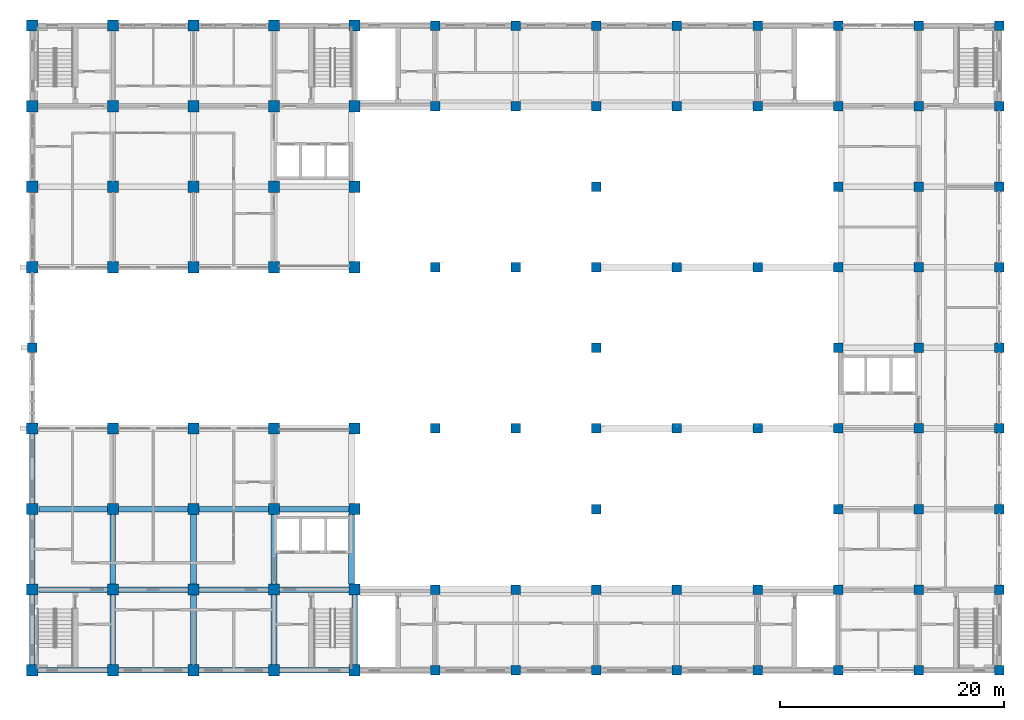
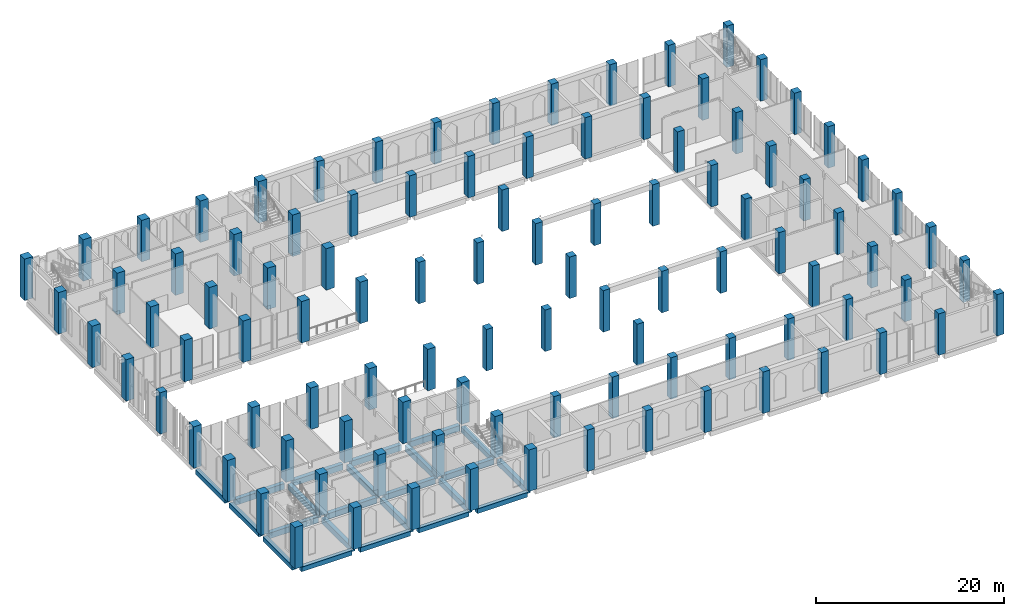
# One storey, part 1 of 48: 101 columns, 23 beams.
"""IFC4 building model written with IfcOpenShell, lengths in metres."""

from ifc_helpers import new_model, si_unit, direction, frame, origin, origin_2d, place, context, subcontext, project, spatial, rectangle, extrude, material, material_profile, profile_set, type_object, element, save


model = new_model("IFC4")

# Units and contexts
model_context = context("Model", 3, precision=1e-05, world=origin(), true_north=direction((0.0, 1.0)))
body_context = subcontext(model_context, "Body", "Model", "MODEL_VIEW")
ifc_project = project(units=[si_unit("LENGTHUNIT", "METRE"), si_unit("AREAUNIT", "SQUARE_METRE"), si_unit("VOLUMEUNIT", "CUBIC_METRE"), si_unit("PLANEANGLEUNIT", "RADIAN"), si_unit("MASSUNIT", "GRAM", prefix="KILO")], contexts=[model_context])

# Site, building, storey
site_placement = place(None, origin())
site = spatial("IfcSite", under=ifc_project, at=site_placement, CompositionType="ELEMENT")
building_placement = place(site_placement, origin())
building = spatial("IfcBuilding", under=site, at=building_placement, Name="Silangan Lancet Faculty of Sciences", CompositionType="ELEMENT")
storey_placement = place(building_placement, frame((0.0, 0.0, 6.0)))
storey = spatial("IfcBuildingStorey", under=building, at=storey_placement, Name="L01", CompositionType="ELEMENT", Elevation=6.0)

# Columns
ifc_material_1 = material(Name="Concrete C50/60", Category="concrete")
ifc_material_profile_1 = material_profile(ifc_material_1, rectangle(XDim=1.0, YDim=1.0, at=origin_2d()), Name="RC 1000x1000")
ifc_profile_set_1 = profile_set([ifc_material_profile_1], Name="Concrete C50/60")
column_type_1 = type_object("IfcColumnType", Name="COLUMN RC 1000x1000", PredefinedType="COLUMN", material=ifc_profile_set_1)
for number, where, z_axis, x_axis, name in (
    (1, (0.0, 0.0, 0.0), (0.0, 0.0, 1.0), (1.0, 0.0, 0.0), "COL-L01-1A"),
    (2, (0.0, 7.199951171875, 0.0), (0.0, 0.0, 1.0), (1.0, 0.0, 0.0), "COL-L01-1B"),
    (3, (0.0, 14.39990234375, 0.0), (0.0, 0.0, 1.0), (1.0, 0.0, 0.0), "COL-L01-1C"),
    (4, (0.0, 21.60009765625, 0.0), (0.0, 0.0, 1.0), (1.0, 0.0, 0.0), "COL-L01-1D"),
    (5, (0.0, 36.0, 0.0), (0.0, 0.0, 1.0), (1.0, 0.0, 0.0), "COL-L01-1F"),
    (6, (0.0, 43.199951171875, 0.0), (0.0, 0.0, 1.0), (1.0, 0.0, 0.0), "COL-L01-1G"),
    (7, (0.0, 50.39990234375, 0.0), (0.0, 0.0, 1.0), (1.0, 0.0, 0.0), "COL-L01-1H"),
    (8, (0.0, 57.60009765625, 0.0), (0.0, 0.0, 1.0), (1.0, 0.0, 0.0), "COL-L01-1I"),
    (9, (7.199951171875, 0.0, 0.0), (0.0, 0.0, 1.0), (1.0, 0.0, 0.0), "COL-L01-2A"),
    (10, (7.199951171875, 7.199951171875, 0.0), (0.0, 0.0, 1.0), (1.0, 0.0, 0.0), "COL-L01-2B"),
    (11, (7.199951171875, 14.39990234375, 0.0), (0.0, 0.0, 1.0), (1.0, 0.0, 0.0), "COL-L01-2C"),
    (12, (7.199951171875, 21.60009765625, 0.0), (0.0, 0.0, 1.0), (1.0, 0.0, 0.0), "COL-L01-2D"),
    (13, (7.199951171875, 36.0, 0.0), (0.0, 0.0, 1.0), (1.0, 0.0, 0.0), "COL-L01-2F"),
    (14, (7.199951171875, 43.199951171875, 0.0), (0.0, 0.0, 1.0), (1.0, 0.0, 0.0), "COL-L01-2G"),
    (15, (7.199951171875, 50.39990234375, 0.0), (0.0, 0.0, 1.0), (1.0, 0.0, 0.0), "COL-L01-2H"),
    (16, (7.199951171875, 57.60009765625, 0.0), (0.0, 0.0, 1.0), (1.0, 0.0, 0.0), "COL-L01-2I"),
    (17, (14.39990234375, 0.0, 0.0), (0.0, 0.0, 1.0), (1.0, 0.0, 0.0), "COL-L01-3A"),
    (18, (14.39990234375, 7.199951171875, 0.0), (0.0, 0.0, 1.0), (1.0, 0.0, 0.0), "COL-L01-3B"),
    (19, (14.39990234375, 14.39990234375, 0.0), (0.0, 0.0, 1.0), (1.0, 0.0, 0.0), "COL-L01-3C"),
    (20, (14.39990234375, 21.60009765625, 0.0), (0.0, 0.0, 1.0), (1.0, 0.0, 0.0), "COL-L01-3D"),
    (21, (14.39990234375, 36.0, 0.0), (0.0, 0.0, 1.0), (1.0, 0.0, 0.0), "COL-L01-3F"),
    (22, (14.39990234375, 43.199951171875, 0.0), (0.0, 0.0, 1.0), (1.0, 0.0, 0.0), "COL-L01-3G"),
    (23, (14.39990234375, 50.39990234375, 0.0), (0.0, 0.0, 1.0), (1.0, 0.0, 0.0), "COL-L01-3H"),
    (24, (14.39990234375, 57.60009765625, 0.0), (0.0, 0.0, 1.0), (1.0, 0.0, 0.0), "COL-L01-3I"),
    (25, (21.60009765625, 0.0, 0.0), (0.0, 0.0, 1.0), (1.0, 0.0, 0.0), "COL-L01-4A"),
    (26, (21.60009765625, 7.199951171875, 0.0), (0.0, 0.0, 1.0), (1.0, 0.0, 0.0), "COL-L01-4B"),
    (27, (21.60009765625, 14.39990234375, 0.0), (0.0, 0.0, 1.0), (1.0, 0.0, 0.0), "COL-L01-4C"),
    (28, (21.60009765625, 21.60009765625, 0.0), (0.0, 0.0, 1.0), (1.0, 0.0, 0.0), "COL-L01-4D"),
    (29, (21.60009765625, 36.0, 0.0), (0.0, 0.0, 1.0), (1.0, 0.0, 0.0), "COL-L01-4F"),
    (30, (21.60009765625, 43.199951171875, 0.0), (0.0, 0.0, 1.0), (1.0, 0.0, 0.0), "COL-L01-4G"),
    (31, (21.60009765625, 50.39990234375, 0.0), (0.0, 0.0, 1.0), (1.0, 0.0, 0.0), "COL-L01-4H"),
    (32, (21.60009765625, 57.60009765625, 0.0), (0.0, 0.0, 1.0), (1.0, 0.0, 0.0), "COL-L01-4I"),
    (33, (28.800048828125, 0.0, 0.0), (0.0, 0.0, 1.0), (1.0, 0.0, 0.0), "COL-L01-5A"),
    (34, (28.800048828125, 7.199951171875, 0.0), (0.0, 0.0, 1.0), (1.0, 0.0, 0.0), "COL-L01-5B"),
    (35, (28.800048828125, 14.39990234375, 0.0), (0.0, 0.0, 1.0), (1.0, 0.0, 0.0), "COL-L01-5C"),
    (36, (28.800048828125, 21.60009765625, 0.0), (0.0, 0.0, 1.0), (1.0, 0.0, 0.0), "COL-L01-5D"),
    (37, (28.800048828125, 36.0, 0.0), (0.0, 0.0, 1.0), (1.0, 0.0, 0.0), "COL-L01-5F"),
    (38, (28.800048828125, 43.199951171875, 0.0), (0.0, 0.0, 1.0), (1.0, 0.0, 0.0), "COL-L01-5G"),
    (39, (28.800048828125, 50.39990234375, 0.0), (0.0, 0.0, 1.0), (1.0, 0.0, 0.0), "COL-L01-5H"),
    (40, (28.800048828125, 57.60009765625, 0.0), (0.0, 0.0, 1.0), (1.0, 0.0, 0.0), "COL-L01-5I"),
):
    element("IfcColumn", number, at=place(storey_placement, frame(where, z_axis=z_axis, x_axis=x_axis)), inside=storey, type_object=column_type_1, Name=name, PredefinedType="COLUMN", context=body_context, shape_type="SweptSolid", body=[
        extrude(rectangle(XDim=1.0, YDim=1.0, at=origin_2d()), origin(), (0.0, 0.0, 1.0), 5.39990234375),
    ])
ifc_material_2 = material(Name="Concrete C40/50", Category="concrete")
ifc_material_profile_2 = material_profile(ifc_material_2, rectangle(XDim=0.85009765625, YDim=0.85009765625, at=origin_2d()), Name="RC 850x850")
ifc_profile_set_2 = profile_set([ifc_material_profile_2], Name="Concrete C40/50")
column_type_2 = type_object("IfcColumnType", Name="COLUMN RC 850x850", PredefinedType="COLUMN", material=ifc_profile_set_2)
for number, where, z_axis, x_axis, name in (
    (41, (0.0, 28.800048828125, 0.0), (0.0, 0.0, 1.0), (1.0, 0.0, 0.0), "COL-L01-1E"),
    (42, (36.0, 0.0, 0.0), (0.0, 0.0, 1.0), (1.0, 0.0, 0.0), "COL-L01-6A"),
    (43, (36.0, 7.199951171875, 0.0), (0.0, 0.0, 1.0), (1.0, 0.0, 0.0), "COL-L01-6B"),
    (44, (36.0, 21.60009765625, 0.0), (0.0, 0.0, 1.0), (1.0, 0.0, 0.0), "COL-L01-6D"),
    (45, (36.0, 36.0, 0.0), (0.0, 0.0, 1.0), (1.0, 0.0, 0.0), "COL-L01-6F"),
    (46, (36.0, 50.39990234375, 0.0), (0.0, 0.0, 1.0), (1.0, 0.0, 0.0), "COL-L01-6H"),
    (47, (36.0, 57.60009765625, 0.0), (0.0, 0.0, 1.0), (1.0, 0.0, 0.0), "COL-L01-6I"),
    (48, (43.199951171875, 0.0, 0.0), (0.0, 0.0, 1.0), (1.0, 0.0, 0.0), "COL-L01-7A"),
    (49, (43.199951171875, 7.199951171875, 0.0), (0.0, 0.0, 1.0), (1.0, 0.0, 0.0), "COL-L01-7B"),
    (50, (43.199951171875, 21.60009765625, 0.0), (0.0, 0.0, 1.0), (1.0, 0.0, 0.0), "COL-L01-7D"),
    (51, (43.199951171875, 36.0, 0.0), (0.0, 0.0, 1.0), (1.0, 0.0, 0.0), "COL-L01-7F"),
    (52, (43.199951171875, 50.39990234375, 0.0), (0.0, 0.0, 1.0), (1.0, 0.0, 0.0), "COL-L01-7H"),
    (53, (43.199951171875, 57.60009765625, 0.0), (0.0, 0.0, 1.0), (1.0, 0.0, 0.0), "COL-L01-7I"),
    (54, (50.39990234375, 0.0, 0.0), (0.0, 0.0, 1.0), (1.0, 0.0, 0.0), "COL-L01-8A"),
    (55, (50.39990234375, 7.199951171875, 0.0), (0.0, 0.0, 1.0), (1.0, 0.0, 0.0), "COL-L01-8B"),
    (56, (50.39990234375, 14.39990234375, 0.0), (0.0, 0.0, 1.0), (1.0, 0.0, 0.0), "COL-L01-8C"),
    (57, (50.39990234375, 21.60009765625, 0.0), (0.0, 0.0, 1.0), (1.0, 0.0, 0.0), "COL-L01-8D"),
    (58, (50.39990234375, 28.800048828125, 0.0), (0.0, 0.0, 1.0), (1.0, 0.0, 0.0), "COL-L01-8E"),
    (59, (50.39990234375, 36.0, 0.0), (0.0, 0.0, 1.0), (1.0, 0.0, 0.0), "COL-L01-8F"),
    (60, (50.39990234375, 43.199951171875, 0.0), (0.0, 0.0, 1.0), (1.0, 0.0, 0.0), "COL-L01-8G"),
    (61, (50.39990234375, 50.39990234375, 0.0), (0.0, 0.0, 1.0), (1.0, 0.0, 0.0), "COL-L01-8H"),
    (62, (50.39990234375, 57.60009765625, 0.0), (0.0, 0.0, 1.0), (1.0, 0.0, 0.0), "COL-L01-8I"),
    (63, (57.60009765625, 0.0, 0.0), (0.0, 0.0, 1.0), (1.0, 0.0, 0.0), "COL-L01-9A"),
    (64, (57.60009765625, 7.199951171875, 0.0), (0.0, 0.0, 1.0), (1.0, 0.0, 0.0), "COL-L01-9B"),
    (65, (57.60009765625, 21.60009765625, 0.0), (0.0, 0.0, 1.0), (1.0, 0.0, 0.0), "COL-L01-9D"),
    (66, (57.60009765625, 36.0, 0.0), (0.0, 0.0, 1.0), (1.0, 0.0, 0.0), "COL-L01-9F"),
    (67, (57.60009765625, 50.39990234375, 0.0), (0.0, 0.0, 1.0), (1.0, 0.0, 0.0), "COL-L01-9H"),
    (68, (57.60009765625, 57.60009765625, 0.0), (0.0, 0.0, 1.0), (1.0, 0.0, 0.0), "COL-L01-9I"),
    (69, (64.800048828125, 0.0, 0.0), (0.0, 0.0, 1.0), (1.0, 0.0, 0.0), "COL-L01-10A"),
    (70, (64.800048828125, 7.199951171875, 0.0), (0.0, 0.0, 1.0), (1.0, 0.0, 0.0), "COL-L01-10B"),
    (71, (64.800048828125, 21.60009765625, 0.0), (0.0, 0.0, 1.0), (1.0, 0.0, 0.0), "COL-L01-10D"),
    (72, (64.800048828125, 36.0, 0.0), (0.0, 0.0, 1.0), (1.0, 0.0, 0.0), "COL-L01-10F"),
    (73, (64.800048828125, 50.39990234375, 0.0), (0.0, 0.0, 1.0), (1.0, 0.0, 0.0), "COL-L01-10H"),
    (74, (64.800048828125, 57.60009765625, 0.0), (0.0, 0.0, 1.0), (1.0, 0.0, 0.0), "COL-L01-10I"),
    (75, (72.0, 0.0, 0.0), (0.0, 0.0, 1.0), (1.0, 0.0, 0.0), "COL-L01-11A"),
    (76, (72.0, 7.199951171875, 0.0), (0.0, 0.0, 1.0), (1.0, 0.0, 0.0), "COL-L01-11B"),
    (77, (72.0, 14.39990234375, 0.0), (0.0, 0.0, 1.0), (1.0, 0.0, 0.0), "COL-L01-11C"),
    (78, (72.0, 21.60009765625, 0.0), (0.0, 0.0, 1.0), (1.0, 0.0, 0.0), "COL-L01-11D"),
    (79, (72.0, 28.800048828125, 0.0), (0.0, 0.0, 1.0), (1.0, 0.0, 0.0), "COL-L01-11E"),
    (80, (72.0, 36.0, 0.0), (0.0, 0.0, 1.0), (1.0, 0.0, 0.0), "COL-L01-11F"),
    (81, (72.0, 43.199951171875, 0.0), (0.0, 0.0, 1.0), (1.0, 0.0, 0.0), "COL-L01-11G"),
    (82, (72.0, 50.39990234375, 0.0), (0.0, 0.0, 1.0), (1.0, 0.0, 0.0), "COL-L01-11H"),
    (83, (72.0, 57.60009765625, 0.0), (0.0, 0.0, 1.0), (1.0, 0.0, 0.0), "COL-L01-11I"),
    (84, (79.199951171875, 0.0, 0.0), (0.0, 0.0, 1.0), (1.0, 0.0, 0.0), "COL-L01-12A"),
    (85, (79.199951171875, 7.199951171875, 0.0), (0.0, 0.0, 1.0), (1.0, 0.0, 0.0), "COL-L01-12B"),
    (86, (79.199951171875, 14.39990234375, 0.0), (0.0, 0.0, 1.0), (1.0, 0.0, 0.0), "COL-L01-12C"),
    (87, (79.199951171875, 21.60009765625, 0.0), (0.0, 0.0, 1.0), (1.0, 0.0, 0.0), "COL-L01-12D"),
    (88, (79.199951171875, 28.800048828125, 0.0), (0.0, 0.0, 1.0), (1.0, 0.0, 0.0), "COL-L01-12E"),
    (89, (79.199951171875, 36.0, 0.0), (0.0, 0.0, 1.0), (1.0, 0.0, 0.0), "COL-L01-12F"),
    (90, (79.199951171875, 43.199951171875, 0.0), (0.0, 0.0, 1.0), (1.0, 0.0, 0.0), "COL-L01-12G"),
    (91, (79.199951171875, 50.39990234375, 0.0), (0.0, 0.0, 1.0), (1.0, 0.0, 0.0), "COL-L01-12H"),
    (92, (79.199951171875, 57.60009765625, 0.0), (0.0, 0.0, 1.0), (1.0, 0.0, 0.0), "COL-L01-12I"),
    (93, (86.39990234375, 0.0, 0.0), (0.0, 0.0, 1.0), (1.0, 0.0, 0.0), "COL-L01-13A"),
    (94, (86.39990234375, 7.199951171875, 0.0), (0.0, 0.0, 1.0), (1.0, 0.0, 0.0), "COL-L01-13B"),
    (95, (86.39990234375, 14.39990234375, 0.0), (0.0, 0.0, 1.0), (1.0, 0.0, 0.0), "COL-L01-13C"),
    (96, (86.39990234375, 21.60009765625, 0.0), (0.0, 0.0, 1.0), (1.0, 0.0, 0.0), "COL-L01-13D"),
    (97, (86.39990234375, 28.800048828125, 0.0), (0.0, 0.0, 1.0), (1.0, 0.0, 0.0), "COL-L01-13E"),
    (98, (86.39990234375, 36.0, 0.0), (0.0, 0.0, 1.0), (1.0, 0.0, 0.0), "COL-L01-13F"),
    (99, (86.39990234375, 43.199951171875, 0.0), (0.0, 0.0, 1.0), (1.0, 0.0, 0.0), "COL-L01-13G"),
    (100, (86.39990234375, 50.39990234375, 0.0), (0.0, 0.0, 1.0), (1.0, 0.0, 0.0), "COL-L01-13H"),
    (101, (86.39990234375, 57.60009765625, 0.0), (0.0, 0.0, 1.0), (1.0, 0.0, 0.0), "COL-L01-13I"),
):
    element("IfcColumn", number, at=place(storey_placement, frame(where, z_axis=z_axis, x_axis=x_axis)), inside=storey, type_object=column_type_2, Name=name, PredefinedType="COLUMN", context=body_context, shape_type="SweptSolid", body=[
        extrude(rectangle(XDim=0.85009765625, YDim=0.85009765625, at=origin_2d()), origin(), (0.0, 0.0, 1.0), 5.39990234375),
    ])

# Beams
ifc_material_3 = material(Name="Concrete C40/50", Category="concrete")
ifc_material_profile_3 = material_profile(ifc_material_3, rectangle(XDim=0.5, YDim=0.60009765625, at=origin_2d()), Name="RC 500x600")
ifc_profile_set_3 = profile_set([ifc_material_profile_3], Name="Concrete C40/50")
beam_type_1 = type_object("IfcBeamType", Name="BEAM RC 500x600", PredefinedType="BEAM", material=ifc_profile_set_3)
for number, where, z_axis, x_axis, name in (
    (102, (0.5, 0.0, -0.550048828125), (1.0, 0.0, 0.0), (0.0, 1.0, 0.0), "BM-L01-1A-2A"),
    (103, (7.699951171875, 0.0, -0.550048828125), (1.0, 0.0, 0.0), (0.0, 1.0, 0.0), "BM-L01-2A-3A"),
):
    element("IfcBeam", number, at=place(storey_placement, frame(where, z_axis=z_axis, x_axis=x_axis)), inside=storey, type_object=beam_type_1, Name=name, PredefinedType="BEAM", context=body_context, shape_type="SweptSolid", body=[
        extrude(rectangle(XDim=0.5, YDim=0.60009765625, at=origin_2d()), origin(), (0.0, 0.0, 1.0), 6.199951171875),
    ])
beam_1_placement = place(storey_placement, frame((14.89990234375, 0.0, -0.550048828125), z_axis=(1.0, 0.0, 0.0), x_axis=(0.0, 1.0, 0.0)))
element("IfcBeam", 104, at=beam_1_placement, inside=storey, type_object=beam_type_1, Name="BM-L01-3A-4A", PredefinedType="BEAM", context=body_context, shape_type="SweptSolid", body=[
    extrude(rectangle(XDim=0.5, YDim=0.60009765625, at=origin_2d()), origin(), (0.0, 0.0, 1.0), 6.2001953125),
])
beam_2_placement = place(storey_placement, frame((22.10009765625, 0.0, -0.550048828125), z_axis=(1.0, 0.0, 0.0), x_axis=(0.0, 1.0, 0.0)))
element("IfcBeam", 105, at=beam_2_placement, inside=storey, type_object=beam_type_1, Name="BM-L01-4A-5A", PredefinedType="BEAM", context=body_context, shape_type="SweptSolid", body=[
    extrude(rectangle(XDim=0.5, YDim=0.60009765625, at=origin_2d()), origin(), (0.0, 0.0, 1.0), 6.199951171875),
])
beam_3_placement = place(storey_placement, frame((0.0, 0.5, -0.550048828125), z_axis=(0.0, 1.0, 0.0), x_axis=(-1.0, 0.0, 0.0)))
element("IfcBeam", 106, at=beam_3_placement, inside=storey, type_object=beam_type_1, Name="BM-L01-1A-1B", PredefinedType="BEAM", context=body_context, shape_type="SweptSolid", body=[
    extrude(rectangle(XDim=0.5, YDim=0.60009765625, at=origin_2d()), origin(), (0.0, 0.0, 1.0), 6.25),
])
beam_4_placement = place(storey_placement, frame((0.0, 7.64990234375, -0.550048828125), z_axis=(0.0, 1.0, 0.0), x_axis=(-1.0, 0.0, 0.0)))
element("IfcBeam", 107, at=beam_4_placement, inside=storey, type_object=beam_type_1, Name="BM-L01-1B-1C", PredefinedType="BEAM", context=body_context, shape_type="SweptSolid", body=[
    extrude(rectangle(XDim=0.5, YDim=0.60009765625, at=origin_2d()), origin(), (0.0, 0.0, 1.0), 6.300048828125),
])
beam_5_placement = place(storey_placement, frame((0.0, 14.85009765625, -0.550048828125), z_axis=(0.0, 1.0, 0.0), x_axis=(-1.0, 0.0, 0.0)))
element("IfcBeam", 108, at=beam_5_placement, inside=storey, type_object=beam_type_1, Name="BM-L01-1C-1D", PredefinedType="BEAM", context=body_context, shape_type="SweptSolid", body=[
    extrude(rectangle(XDim=0.5, YDim=0.60009765625, at=origin_2d()), origin(), (0.0, 0.0, 1.0), 6.2998046875),
])
ifc_material_4 = material(Name="Concrete C40/50", Category="concrete")
ifc_material_profile_4 = material_profile(ifc_material_4, rectangle(XDim=0.5, YDim=0.75, at=origin_2d()), Name="RC 500x750")
ifc_profile_set_4 = profile_set([ifc_material_profile_4], Name="Concrete C40/50")
beam_type_2 = type_object("IfcBeamType", Name="BEAM RC 500x750", PredefinedType="BEAM", material=ifc_profile_set_4)
beam_6_placement = place(storey_placement, frame((0.60009765625, 7.199951171875, -0.625), z_axis=(1.0, 0.0, 0.0), x_axis=(0.0, 1.0, 0.0)))
element("IfcBeam", 109, at=beam_6_placement, inside=storey, type_object=beam_type_2, Name="BM-L01-1B-2B", PredefinedType="BEAM", context=body_context, shape_type="SweptSolid", body=[
    extrude(rectangle(XDim=0.5, YDim=0.75, at=origin_2d()), origin(), (0.0, 0.0, 1.0), 6.099853515625),
])
beam_7_placement = place(storey_placement, frame((7.699951171875, 7.199951171875, -0.625), z_axis=(1.0, 0.0, 0.0), x_axis=(0.0, 1.0, 0.0)))
element("IfcBeam", 110, at=beam_7_placement, inside=storey, type_object=beam_type_2, Name="BM-L01-2B-3B", PredefinedType="BEAM", context=body_context, shape_type="SweptSolid", body=[
    extrude(rectangle(XDim=0.5, YDim=0.75, at=origin_2d()), origin(), (0.0, 0.0, 1.0), 6.199951171875),
])
beam_8_placement = place(storey_placement, frame((14.89990234375, 7.199951171875, -0.625), z_axis=(1.0, 0.0, 0.0), x_axis=(0.0, 1.0, 0.0)))
element("IfcBeam", 111, at=beam_8_placement, inside=storey, type_object=beam_type_2, Name="BM-L01-3B-4B", PredefinedType="BEAM", context=body_context, shape_type="SweptSolid", body=[
    extrude(rectangle(XDim=0.5, YDim=0.75, at=origin_2d()), origin(), (0.0, 0.0, 1.0), 6.2001953125),
])
beam_9_placement = place(storey_placement, frame((22.10009765625, 7.199951171875, -0.625), z_axis=(1.0, 0.0, 0.0), x_axis=(0.0, 1.0, 0.0)))
element("IfcBeam", 112, at=beam_9_placement, inside=storey, type_object=beam_type_2, Name="BM-L01-4B-5B", PredefinedType="BEAM", context=body_context, shape_type="SweptSolid", body=[
    extrude(rectangle(XDim=0.5, YDim=0.75, at=origin_2d()), origin(), (0.0, 0.0, 1.0), 6.199951171875),
])
beam_10_placement = place(storey_placement, frame((0.60009765625, 14.39990234375, -0.625), z_axis=(1.0, 0.0, 0.0), x_axis=(0.0, 1.0, 0.0)))
element("IfcBeam", 113, at=beam_10_placement, inside=storey, type_object=beam_type_2, Name="BM-L01-1C-2C", PredefinedType="BEAM", context=body_context, shape_type="SweptSolid", body=[
    extrude(rectangle(XDim=0.5, YDim=0.75, at=origin_2d()), origin(), (0.0, 0.0, 1.0), 6.099853515625),
])
beam_11_placement = place(storey_placement, frame((7.699951171875, 14.39990234375, -0.625), z_axis=(1.0, 0.0, 0.0), x_axis=(0.0, 1.0, 0.0)))
element("IfcBeam", 114, at=beam_11_placement, inside=storey, type_object=beam_type_2, Name="BM-L01-2C-3C", PredefinedType="BEAM", context=body_context, shape_type="SweptSolid", body=[
    extrude(rectangle(XDim=0.5, YDim=0.75, at=origin_2d()), origin(), (0.0, 0.0, 1.0), 6.199951171875),
])
beam_12_placement = place(storey_placement, frame((14.89990234375, 14.39990234375, -0.625), z_axis=(1.0, 0.0, 0.0), x_axis=(0.0, 1.0, 0.0)))
element("IfcBeam", 115, at=beam_12_placement, inside=storey, type_object=beam_type_2, Name="BM-L01-3C-4C", PredefinedType="BEAM", context=body_context, shape_type="SweptSolid", body=[
    extrude(rectangle(XDim=0.5, YDim=0.75, at=origin_2d()), origin(), (0.0, 0.0, 1.0), 6.2001953125),
])
for number, where, z_axis, x_axis, name in (
    (116, (22.10009765625, 14.39990234375, -0.625), (1.0, 0.0, 0.0), (0.0, 1.0, 0.0), "BM-L01-4C-5C"),
    (117, (7.199951171875, 0.5, -0.625), (0.0, 1.0, 0.0), (-1.0, 0.0, 0.0), "BM-L01-2A-2B"),
    (118, (7.199951171875, 7.699951171875, -0.625), (0.0, 1.0, 0.0), (-1.0, 0.0, 0.0), "BM-L01-2B-2C"),
    (119, (14.39990234375, 0.5, -0.625), (0.0, 1.0, 0.0), (-1.0, 0.0, 0.0), "BM-L01-3A-3B"),
    (120, (14.39990234375, 7.699951171875, -0.625), (0.0, 1.0, 0.0), (-1.0, 0.0, 0.0), "BM-L01-3B-3C"),
    (121, (21.60009765625, 0.5, -0.625), (0.0, 1.0, 0.0), (-1.0, 0.0, 0.0), "BM-L01-4A-4B"),
    (122, (21.60009765625, 7.699951171875, -0.625), (0.0, 1.0, 0.0), (-1.0, 0.0, 0.0), "BM-L01-4B-4C"),
    (123, (28.800048828125, 0.5, -0.625), (0.0, 1.0, 0.0), (-1.0, 0.0, 0.0), "BM-L01-5A-5B"),
):
    element("IfcBeam", number, at=place(storey_placement, frame(where, z_axis=z_axis, x_axis=x_axis)), inside=storey, type_object=beam_type_2, Name=name, PredefinedType="BEAM", context=body_context, shape_type="SweptSolid", body=[
        extrude(rectangle(XDim=0.5, YDim=0.75, at=origin_2d()), origin(), (0.0, 0.0, 1.0), 6.199951171875),
    ])
ifc_material_5 = material(Name="Concrete C40/50", Category="concrete")
ifc_material_profile_5 = material_profile(ifc_material_5, rectangle(XDim=0.550048828125, YDim=0.699951171875, at=origin_2d()), Name="RC 550x700")
ifc_profile_set_5 = profile_set([ifc_material_profile_5], Name="Concrete C40/50")
beam_type_3 = type_object("IfcBeamType", Name="BEAM RC 550x700", PredefinedType="BEAM", material=ifc_profile_set_5)
beam_13_placement = place(storey_placement, frame((28.52490234375, 7.699951171875, -0.60009765625), z_axis=(0.0, 1.0, 0.0), x_axis=(-1.0, 0.0, 0.0)))
element("IfcBeam", 124, at=beam_13_placement, inside=storey, type_object=beam_type_3, Name="BM-L01-5B-5C", PredefinedType="BEAM", context=body_context, shape_type="SweptSolid", body=[
    extrude(rectangle(XDim=0.550048828125, YDim=0.699951171875, at=origin_2d()), origin(), (0.0, 0.0, 1.0), 6.199951171875),
])

save(model, "model.ifc")
